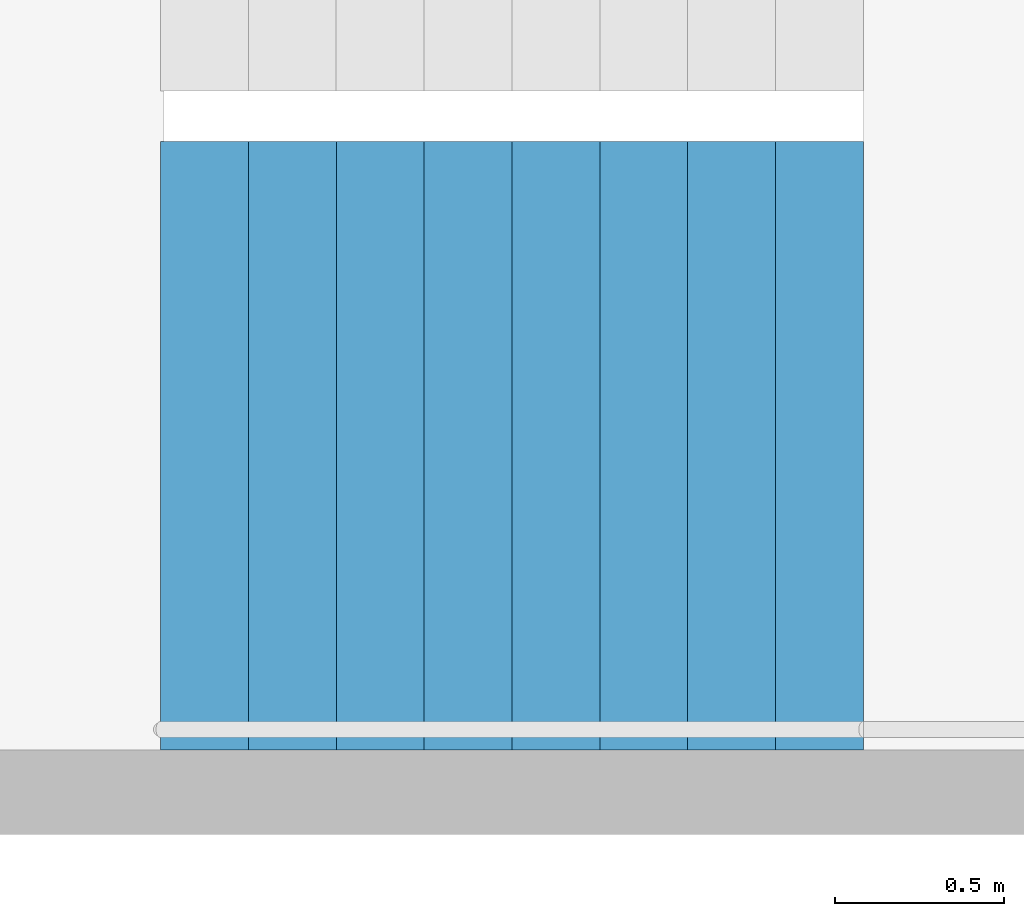
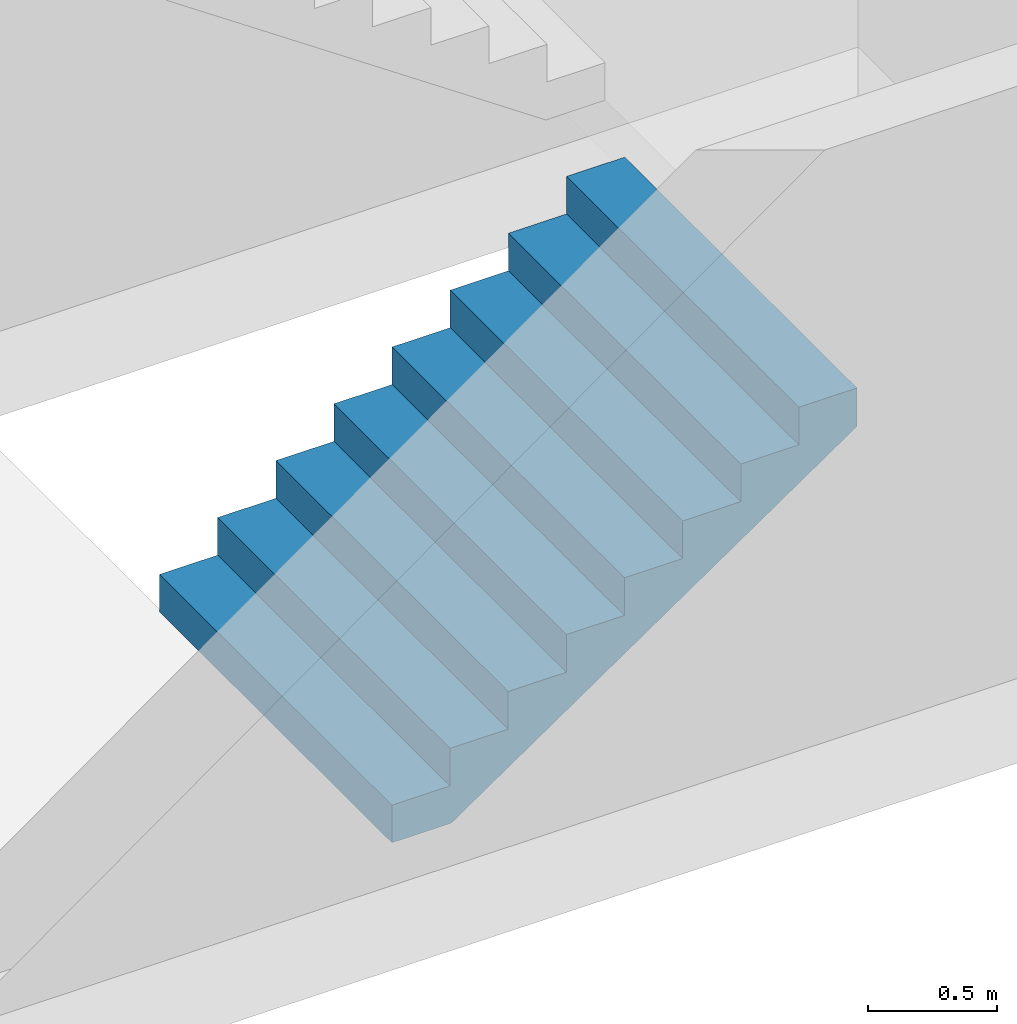
# One storey, part 21 of 33: 1 stair flight, 1 element without a shape of its own.
"""IFC4 building model written with IfcOpenShell, lengths in metres."""

from ifc_helpers import new_model, si_unit, direction, frame, origin, place, context, subcontext, project, spatial, triangles, material, type_object, element, aggregate, save


model = new_model("IFC4")

# Units and contexts
model_context = context("Model", 3, precision=1e-05, world=origin(), true_north=direction((0.0, 1.0)))
body_context = subcontext(model_context, "Body", "Model", "MODEL_VIEW")
ifc_project = project(units=[si_unit("LENGTHUNIT", "METRE"), si_unit("AREAUNIT", "SQUARE_METRE"), si_unit("VOLUMEUNIT", "CUBIC_METRE"), si_unit("PLANEANGLEUNIT", "RADIAN"), si_unit("MASSUNIT", "GRAM", prefix="KILO")], contexts=[model_context])

# Site, building, storey
site_placement = place(None, origin())
site = spatial("IfcSite", under=ifc_project, at=site_placement, CompositionType="ELEMENT")
building_placement = place(site_placement, origin())
building = spatial("IfcBuilding", under=site, at=building_placement, Name="Hakoniwa Tower and Hamabe Station Hall", CompositionType="ELEMENT")
storey_placement = place(building_placement, frame((0.0, 0.0, 81.800048828125)))
storey = spatial("IfcBuildingStorey", under=building, at=storey_placement, Name="L22", CompositionType="ELEMENT", Elevation=81.800048828125)

# Stair, stair flight
ifc_material_1 = material(Name="Concrete C40", Category="concrete")
stair_type = type_object("IfcStairType", Name="ESCAPE STAIR 1800", PredefinedType="HALF_TURN_STAIR", material=ifc_material_1)
stair_placement = place(storey_placement, origin())
stair = element("IfcStair", 1, at=stair_placement, inside=storey, type_object=stair_type, Name="Escape stair ST-1 L22", PredefinedType="HALF_TURN_STAIR")
ifc_material_2 = material(Name="Concrete C40", Category="concrete")
stair_flight_type = type_object("IfcStairFlightType", Name="STAIR FLIGHT 1800", PredefinedType="STRAIGHT", material=ifc_material_2)
stair_flight_placement = place(storey_placement, frame((-24.39990234375, 4.64990234375, 0.0), z_axis=(0.0, 0.0, 1.0), x_axis=(1.0, 0.0, 0.0)))
stair_flight = element("IfcStairFlight", 2, at=stair_flight_placement, type_object=stair_flight_type, Name="ST-1 flight 1", NumberOfRisers=9, NumberOfTreads=8, PredefinedType="STRAIGHT", RiserHeight=0.177777778, TreadLength=0.26, context=body_context, shape_type="Tessellation", body=[
    triangles([(0.0, 0.89990234375, 0.0), (0.260009765625, 0.89990234375, 0.0), (0.265625, 0.89990234375, 0.0), (0.52001953125, 0.89990234375, 0.174072265625), (0.780029296875, 0.89990234375, 0.351806640625), (1.0400390625, 0.89990234375, 0.529541015625), (1.300048828125, 0.89990234375, 0.707275390625), (1.56005859375, 0.89990234375, 0.885009765625), (1.820068359375, 0.89990234375, 1.062744140625), (2.080078125, 0.89990234375, 1.24072265625), (2.080078125, 0.89990234375, 1.422119140625), (1.820068359375, 0.89990234375, 1.422119140625), (1.820068359375, 0.89990234375, 1.244384765625), (1.56005859375, 0.89990234375, 1.244384765625), (1.56005859375, 0.89990234375, 1.066650390625), (1.300048828125, 0.89990234375, 1.066650390625), (1.300048828125, 0.89990234375, 0.888916015625), (1.0400390625, 0.89990234375, 0.888916015625), (1.0400390625, 0.89990234375, 0.711181640625), (0.780029296875, 0.89990234375, 0.711181640625), (0.780029296875, 0.89990234375, 0.533447265625), (0.52001953125, 0.89990234375, 0.533447265625), (0.52001953125, 0.89990234375, 0.35546875), (0.265625, 0.89990234375, 0.35546875), (0.260009765625, 0.89990234375, 0.35546875), (0.260009765625, 0.89990234375, 0.177734375), (0.0, 0.89990234375, 0.177734375), (0.0, 0.06005859375, 0.0), (0.260009765625, 0.06005859375, 0.0), (0.265625, 0.06005859375, 0.0), (0.52001953125, 0.06005859375, 0.174072265625), (0.780029296875, 0.06005859375, 0.351806640625), (1.0400390625, 0.06005859375, 0.529541015625), (1.300048828125, 0.06005859375, 0.707275390625), (1.56005859375, 0.06005859375, 0.885009765625), (1.820068359375, 0.06005859375, 1.062744140625), (2.080078125, 0.06005859375, 1.24072265625), (2.080078125, 0.06005859375, 1.422119140625), (1.820068359375, 0.06005859375, 1.422119140625), (1.820068359375, 0.06005859375, 1.244384765625), (1.56005859375, 0.06005859375, 1.244384765625), (1.56005859375, 0.06005859375, 1.066650390625), (1.300048828125, 0.06005859375, 1.066650390625), (1.300048828125, 0.06005859375, 0.888916015625), (1.0400390625, 0.06005859375, 0.888916015625), (1.0400390625, 0.06005859375, 0.711181640625), (0.780029296875, 0.06005859375, 0.711181640625), (0.780029296875, 0.06005859375, 0.533447265625), (0.52001953125, 0.06005859375, 0.533447265625), (0.52001953125, 0.06005859375, 0.35546875), (0.265625, 0.06005859375, 0.35546875), (0.260009765625, 0.06005859375, 0.35546875), (0.260009765625, 0.06005859375, 0.177734375), (0.0, 0.06005859375, 0.177734375), (0.0, 0.04296875, 0.0), (0.260009765625, 0.04296875, 0.0), (0.265625, 0.04296875, 0.0), (0.52001953125, 0.04296875, 0.174072265625), (0.780029296875, 0.04296875, 0.351806640625), (1.0400390625, 0.04296875, 0.529541015625), (1.300048828125, 0.04296875, 0.707275390625), (1.56005859375, 0.04296875, 0.885009765625), (1.820068359375, 0.04296875, 1.062744140625), (2.080078125, 0.04296875, 1.24072265625), (2.080078125, 0.04296875, 1.422119140625), (1.820068359375, 0.04296875, 1.422119140625), (1.820068359375, 0.04296875, 1.244384765625), (1.56005859375, 0.04296875, 1.244384765625), (1.56005859375, 0.04296875, 1.066650390625), (1.300048828125, 0.04296875, 1.066650390625), (1.300048828125, 0.04296875, 0.888916015625), (1.0400390625, 0.04296875, 0.888916015625), (1.0400390625, 0.04296875, 0.711181640625), (0.780029296875, 0.04296875, 0.711181640625), (0.780029296875, 0.04296875, 0.533447265625), (0.52001953125, 0.04296875, 0.533447265625), (0.52001953125, 0.04296875, 0.35546875), (0.265625, 0.04296875, 0.35546875), (0.260009765625, 0.04296875, 0.35546875), (0.260009765625, 0.04296875, 0.177734375), (0.0, 0.04296875, 0.177734375), (0.0, 0.025634765625, 0.0), (0.260009765625, 0.025634765625, 0.0), (0.265625, 0.025634765625, 0.0), (0.52001953125, 0.025634765625, 0.174072265625), (0.780029296875, 0.025634765625, 0.351806640625), (1.0400390625, 0.025634765625, 0.529541015625), (1.300048828125, 0.025634765625, 0.707275390625), (1.56005859375, 0.025634765625, 0.885009765625), (1.820068359375, 0.025634765625, 1.062744140625), (2.080078125, 0.025634765625, 1.24072265625), (2.080078125, 0.025634765625, 1.422119140625), (1.820068359375, 0.025634765625, 1.422119140625), (1.820068359375, 0.025634765625, 1.244384765625), (1.56005859375, 0.025634765625, 1.244384765625), (1.56005859375, 0.025634765625, 1.066650390625), (1.300048828125, 0.025634765625, 1.066650390625), (1.300048828125, 0.025634765625, 0.888916015625), (1.0400390625, 0.025634765625, 0.888916015625), (1.0400390625, 0.025634765625, 0.711181640625), (0.780029296875, 0.025634765625, 0.711181640625), (0.780029296875, 0.025634765625, 0.533447265625), (0.52001953125, 0.025634765625, 0.533447265625), (0.52001953125, 0.025634765625, 0.35546875), (0.265625, 0.025634765625, 0.35546875), (0.260009765625, 0.025634765625, 0.35546875), (0.260009765625, 0.025634765625, 0.177734375), (0.0, 0.025634765625, 0.177734375), (0.0, 0.008544921875, 0.0), (0.260009765625, 0.008544921875, 0.0), (0.265625, 0.008544921875, 0.0), (0.52001953125, 0.008544921875, 0.174072265625), (0.780029296875, 0.008544921875, 0.351806640625), (1.0400390625, 0.008544921875, 0.529541015625), (1.300048828125, 0.008544921875, 0.707275390625), (1.56005859375, 0.008544921875, 0.885009765625), (1.820068359375, 0.008544921875, 1.062744140625), (2.080078125, 0.008544921875, 1.24072265625), (2.080078125, 0.008544921875, 1.422119140625), (1.820068359375, 0.008544921875, 1.422119140625), (1.820068359375, 0.008544921875, 1.244384765625), (1.56005859375, 0.008544921875, 1.244384765625), (1.56005859375, 0.008544921875, 1.066650390625), (1.300048828125, 0.008544921875, 1.066650390625), (1.300048828125, 0.008544921875, 0.888916015625), (1.0400390625, 0.008544921875, 0.888916015625), (1.0400390625, 0.008544921875, 0.711181640625), (0.780029296875, 0.008544921875, 0.711181640625), (0.780029296875, 0.008544921875, 0.533447265625), (0.52001953125, 0.008544921875, 0.533447265625), (0.52001953125, 0.008544921875, 0.35546875), (0.265625, 0.008544921875, 0.35546875), (0.260009765625, 0.008544921875, 0.35546875), (0.260009765625, 0.008544921875, 0.177734375), (0.0, 0.008544921875, 0.177734375), (0.0, -0.008544921875, 0.0), (0.260009765625, -0.008544921875, 0.0), (0.265625, -0.008544921875, 0.0), (0.52001953125, -0.008544921875, 0.174072265625), (0.780029296875, -0.008544921875, 0.351806640625), (1.0400390625, -0.008544921875, 0.529541015625), (1.300048828125, -0.008544921875, 0.707275390625), (1.56005859375, -0.008544921875, 0.885009765625), (1.820068359375, -0.008544921875, 1.062744140625), (2.080078125, -0.008544921875, 1.24072265625), (2.080078125, -0.008544921875, 1.422119140625), (1.820068359375, -0.008544921875, 1.422119140625), (1.820068359375, -0.008544921875, 1.244384765625), (1.56005859375, -0.008544921875, 1.244384765625), (1.56005859375, -0.008544921875, 1.066650390625), (1.300048828125, -0.008544921875, 1.066650390625), (1.300048828125, -0.008544921875, 0.888916015625), (1.0400390625, -0.008544921875, 0.888916015625), (1.0400390625, -0.008544921875, 0.711181640625), (0.780029296875, -0.008544921875, 0.711181640625), (0.780029296875, -0.008544921875, 0.533447265625), (0.52001953125, -0.008544921875, 0.533447265625), (0.52001953125, -0.008544921875, 0.35546875), (0.265625, -0.008544921875, 0.35546875), (0.260009765625, -0.008544921875, 0.35546875), (0.260009765625, -0.008544921875, 0.177734375), (0.0, -0.008544921875, 0.177734375), (0.0, -0.025634765625, 0.0), (0.260009765625, -0.025634765625, 0.0), (0.265625, -0.025634765625, 0.0), (0.52001953125, -0.025634765625, 0.174072265625), (0.780029296875, -0.025634765625, 0.351806640625), (1.0400390625, -0.025634765625, 0.529541015625), (1.300048828125, -0.025634765625, 0.707275390625), (1.56005859375, -0.025634765625, 0.885009765625), (1.820068359375, -0.025634765625, 1.062744140625), (2.080078125, -0.025634765625, 1.24072265625), (2.080078125, -0.025634765625, 1.422119140625), (1.820068359375, -0.025634765625, 1.422119140625), (1.820068359375, -0.025634765625, 1.244384765625), (1.56005859375, -0.025634765625, 1.244384765625), (1.56005859375, -0.025634765625, 1.066650390625), (1.300048828125, -0.025634765625, 1.066650390625), (1.300048828125, -0.025634765625, 0.888916015625), (1.0400390625, -0.025634765625, 0.888916015625), (1.0400390625, -0.025634765625, 0.711181640625), (0.780029296875, -0.025634765625, 0.711181640625), (0.780029296875, -0.025634765625, 0.533447265625), (0.52001953125, -0.025634765625, 0.533447265625), (0.52001953125, -0.025634765625, 0.35546875), (0.265625, -0.025634765625, 0.35546875), (0.260009765625, -0.025634765625, 0.35546875), (0.260009765625, -0.025634765625, 0.177734375), (0.0, -0.025634765625, 0.177734375), (0.0, -0.04296875, 0.0), (0.260009765625, -0.04296875, 0.0), (0.265625, -0.04296875, 0.0), (0.52001953125, -0.04296875, 0.174072265625), (0.780029296875, -0.04296875, 0.351806640625), (1.0400390625, -0.04296875, 0.529541015625), (1.300048828125, -0.04296875, 0.707275390625), (1.56005859375, -0.04296875, 0.885009765625), (1.820068359375, -0.04296875, 1.062744140625), (2.080078125, -0.04296875, 1.24072265625), (2.080078125, -0.04296875, 1.422119140625), (1.820068359375, -0.04296875, 1.422119140625), (1.820068359375, -0.04296875, 1.244384765625), (1.56005859375, -0.04296875, 1.244384765625), (1.56005859375, -0.04296875, 1.066650390625), (1.300048828125, -0.04296875, 1.066650390625), (1.300048828125, -0.04296875, 0.888916015625), (1.0400390625, -0.04296875, 0.888916015625), (1.0400390625, -0.04296875, 0.711181640625), (0.780029296875, -0.04296875, 0.711181640625), (0.780029296875, -0.04296875, 0.533447265625), (0.52001953125, -0.04296875, 0.533447265625), (0.52001953125, -0.04296875, 0.35546875), (0.265625, -0.04296875, 0.35546875), (0.260009765625, -0.04296875, 0.35546875), (0.260009765625, -0.04296875, 0.177734375), (0.0, -0.04296875, 0.177734375), (0.0, -0.06005859375, 0.0), (0.260009765625, -0.06005859375, 0.0), (0.265625, -0.06005859375, 0.0), (0.52001953125, -0.06005859375, 0.174072265625), (0.780029296875, -0.06005859375, 0.351806640625), (1.0400390625, -0.06005859375, 0.529541015625), (1.300048828125, -0.06005859375, 0.707275390625), (1.56005859375, -0.06005859375, 0.885009765625), (1.820068359375, -0.06005859375, 1.062744140625), (2.080078125, -0.06005859375, 1.24072265625), (2.080078125, -0.06005859375, 1.422119140625), (1.820068359375, -0.06005859375, 1.422119140625), (1.820068359375, -0.06005859375, 1.244384765625), (1.56005859375, -0.06005859375, 1.244384765625), (1.56005859375, -0.06005859375, 1.066650390625), (1.300048828125, -0.06005859375, 1.066650390625), (1.300048828125, -0.06005859375, 0.888916015625), (1.0400390625, -0.06005859375, 0.888916015625), (1.0400390625, -0.06005859375, 0.711181640625), (0.780029296875, -0.06005859375, 0.711181640625), (0.780029296875, -0.06005859375, 0.533447265625), (0.52001953125, -0.06005859375, 0.533447265625), (0.52001953125, -0.06005859375, 0.35546875), (0.265625, -0.06005859375, 0.35546875), (0.260009765625, -0.06005859375, 0.35546875), (0.260009765625, -0.06005859375, 0.177734375), (0.0, -0.06005859375, 0.177734375), (0.0, -0.89990234375, 0.0), (0.260009765625, -0.89990234375, 0.0), (0.265625, -0.89990234375, 0.0), (0.52001953125, -0.89990234375, 0.174072265625), (0.780029296875, -0.89990234375, 0.351806640625), (1.0400390625, -0.89990234375, 0.529541015625), (1.300048828125, -0.89990234375, 0.707275390625), (1.56005859375, -0.89990234375, 0.885009765625), (1.820068359375, -0.89990234375, 1.062744140625), (2.080078125, -0.89990234375, 1.24072265625), (2.080078125, -0.89990234375, 1.422119140625), (1.820068359375, -0.89990234375, 1.422119140625), (1.820068359375, -0.89990234375, 1.244384765625), (1.56005859375, -0.89990234375, 1.244384765625), (1.56005859375, -0.89990234375, 1.066650390625), (1.300048828125, -0.89990234375, 1.066650390625), (1.300048828125, -0.89990234375, 0.888916015625), (1.0400390625, -0.89990234375, 0.888916015625), (1.0400390625, -0.89990234375, 0.711181640625), (0.780029296875, -0.89990234375, 0.711181640625), (0.780029296875, -0.89990234375, 0.533447265625), (0.52001953125, -0.89990234375, 0.533447265625), (0.52001953125, -0.89990234375, 0.35546875), (0.265625, -0.89990234375, 0.35546875), (0.260009765625, -0.89990234375, 0.35546875), (0.260009765625, -0.89990234375, 0.177734375), (0.0, -0.89990234375, 0.177734375)], [[2, 27, 26], [245, 269, 270], [2, 1, 27], [245, 270, 244], [3, 25, 24], [246, 267, 268], [3, 26, 25], [246, 268, 269], [3, 2, 26], [246, 269, 245], [4, 24, 23], [247, 266, 267], [4, 3, 24], [247, 267, 246], [5, 22, 21], [248, 264, 265], [5, 23, 22], [248, 265, 266], [5, 4, 23], [248, 266, 247], [6, 20, 19], [249, 262, 263], [6, 21, 20], [249, 263, 264], [6, 5, 21], [249, 264, 248], [7, 18, 17], [250, 260, 261], [7, 19, 18], [250, 261, 262], [7, 6, 19], [250, 262, 249], [8, 16, 15], [251, 258, 259], [8, 17, 16], [251, 259, 260], [8, 7, 17], [251, 260, 250], [9, 14, 13], [252, 256, 257], [9, 15, 14], [252, 257, 258], [9, 8, 15], [252, 258, 251], [10, 12, 11], [253, 254, 255], [10, 13, 12], [253, 255, 256], [10, 9, 13], [253, 256, 252], [1, 2, 29], [1, 29, 28], [28, 29, 56], [28, 56, 55], [55, 56, 83], [55, 83, 82], [82, 83, 110], [82, 110, 109], [109, 110, 137], [109, 137, 136], [136, 137, 164], [136, 164, 163], [163, 164, 191], [163, 191, 190], [190, 191, 218], [190, 218, 217], [217, 218, 245], [217, 245, 244], [2, 3, 30], [2, 30, 29], [29, 30, 57], [29, 57, 56], [56, 57, 84], [56, 84, 83], [83, 84, 111], [83, 111, 110], [110, 111, 138], [110, 138, 137], [137, 138, 165], [137, 165, 164], [164, 165, 192], [164, 192, 191], [191, 192, 219], [191, 219, 218], [218, 219, 246], [218, 246, 245], [3, 4, 31], [3, 31, 30], [30, 31, 58], [30, 58, 57], [57, 58, 85], [57, 85, 84], [84, 85, 112], [84, 112, 111], [111, 112, 139], [111, 139, 138], [138, 139, 166], [138, 166, 165], [165, 166, 193], [165, 193, 192], [192, 193, 220], [192, 220, 219], [219, 220, 247], [219, 247, 246], [4, 5, 32], [4, 32, 31], [31, 32, 59], [31, 59, 58], [58, 59, 86], [58, 86, 85], [85, 86, 113], [85, 113, 112], [112, 113, 140], [112, 140, 139], [139, 140, 167], [139, 167, 166], [166, 167, 194], [166, 194, 193], [193, 194, 221], [193, 221, 220], [220, 221, 248], [220, 248, 247], [5, 6, 33], [5, 33, 32], [32, 33, 60], [32, 60, 59], [59, 60, 87], [59, 87, 86], [86, 87, 114], [86, 114, 113], [113, 114, 141], [113, 141, 140], [140, 141, 168], [140, 168, 167], [167, 168, 195], [167, 195, 194], [194, 195, 222], [194, 222, 221], [221, 222, 249], [221, 249, 248], [6, 7, 34], [6, 34, 33], [33, 34, 61], [33, 61, 60], [60, 61, 88], [60, 88, 87], [87, 88, 115], [87, 115, 114], [114, 115, 142], [114, 142, 141], [141, 142, 169], [141, 169, 168], [168, 169, 196], [168, 196, 195], [195, 196, 223], [195, 223, 222], [222, 223, 250], [222, 250, 249], [7, 8, 35], [7, 35, 34], [34, 35, 62], [34, 62, 61], [61, 62, 89], [61, 89, 88], [88, 89, 116], [88, 116, 115], [115, 116, 143], [115, 143, 142], [142, 143, 170], [142, 170, 169], [169, 170, 197], [169, 197, 196], [196, 197, 224], [196, 224, 223], [223, 224, 251], [223, 251, 250], [8, 9, 36], [8, 36, 35], [35, 36, 63], [35, 63, 62], [62, 63, 90], [62, 90, 89], [89, 90, 117], [89, 117, 116], [116, 117, 144], [116, 144, 143], [143, 144, 171], [143, 171, 170], [170, 171, 198], [170, 198, 197], [197, 198, 225], [197, 225, 224], [224, 225, 252], [224, 252, 251], [9, 10, 37], [9, 37, 36], [36, 37, 64], [36, 64, 63], [63, 64, 91], [63, 91, 90], [90, 91, 118], [90, 118, 117], [117, 118, 145], [117, 145, 144], [144, 145, 172], [144, 172, 171], [171, 172, 199], [171, 199, 198], [198, 199, 226], [198, 226, 225], [225, 226, 253], [225, 253, 252], [10, 11, 38], [10, 38, 37], [37, 38, 65], [37, 65, 64], [64, 65, 92], [64, 92, 91], [91, 92, 119], [91, 119, 118], [118, 119, 146], [118, 146, 145], [145, 146, 173], [145, 173, 172], [172, 173, 200], [172, 200, 199], [199, 200, 227], [199, 227, 226], [226, 227, 254], [226, 254, 253], [11, 12, 39], [11, 39, 38], [38, 39, 66], [38, 66, 65], [65, 66, 93], [65, 93, 92], [92, 93, 120], [92, 120, 119], [119, 120, 147], [119, 147, 146], [146, 147, 174], [146, 174, 173], [173, 174, 201], [173, 201, 200], [200, 201, 228], [200, 228, 227], [227, 228, 255], [227, 255, 254], [12, 13, 40], [12, 40, 39], [39, 40, 67], [39, 67, 66], [66, 67, 94], [66, 94, 93], [93, 94, 121], [93, 121, 120], [120, 121, 148], [120, 148, 147], [147, 148, 175], [147, 175, 174], [174, 175, 202], [174, 202, 201], [201, 202, 229], [201, 229, 228], [228, 229, 256], [228, 256, 255], [13, 14, 41], [13, 41, 40], [40, 41, 68], [40, 68, 67], [67, 68, 95], [67, 95, 94], [94, 95, 122], [94, 122, 121], [121, 122, 149], [121, 149, 148], [148, 149, 176], [148, 176, 175], [175, 176, 203], [175, 203, 202], [202, 203, 230], [202, 230, 229], [229, 230, 257], [229, 257, 256], [14, 15, 42], [14, 42, 41], [41, 42, 69], [41, 69, 68], [68, 69, 96], [68, 96, 95], [95, 96, 123], [95, 123, 122], [122, 123, 150], [122, 150, 149], [149, 150, 177], [149, 177, 176], [176, 177, 204], [176, 204, 203], [203, 204, 231], [203, 231, 230], [230, 231, 258], [230, 258, 257], [15, 16, 43], [15, 43, 42], [42, 43, 70], [42, 70, 69], [69, 70, 97], [69, 97, 96], [96, 97, 124], [96, 124, 123], [123, 124, 151], [123, 151, 150], [150, 151, 178], [150, 178, 177], [177, 178, 205], [177, 205, 204], [204, 205, 232], [204, 232, 231], [231, 232, 259], [231, 259, 258], [16, 17, 44], [16, 44, 43], [43, 44, 71], [43, 71, 70], [70, 71, 98], [70, 98, 97], [97, 98, 125], [97, 125, 124], [124, 125, 152], [124, 152, 151], [151, 152, 179], [151, 179, 178], [178, 179, 206], [178, 206, 205], [205, 206, 233], [205, 233, 232], [232, 233, 260], [232, 260, 259], [17, 18, 45], [17, 45, 44], [44, 45, 72], [44, 72, 71], [71, 72, 99], [71, 99, 98], [98, 99, 126], [98, 126, 125], [125, 126, 153], [125, 153, 152], [152, 153, 180], [152, 180, 179], [179, 180, 207], [179, 207, 206], [206, 207, 234], [206, 234, 233], [233, 234, 261], [233, 261, 260], [18, 19, 46], [18, 46, 45], [45, 46, 73], [45, 73, 72], [72, 73, 100], [72, 100, 99], [99, 100, 127], [99, 127, 126], [126, 127, 154], [126, 154, 153], [153, 154, 181], [153, 181, 180], [180, 181, 208], [180, 208, 207], [207, 208, 235], [207, 235, 234], [234, 235, 262], [234, 262, 261], [19, 20, 47], [19, 47, 46], [46, 47, 74], [46, 74, 73], [73, 74, 101], [73, 101, 100], [100, 101, 128], [100, 128, 127], [127, 128, 155], [127, 155, 154], [154, 155, 182], [154, 182, 181], [181, 182, 209], [181, 209, 208], [208, 209, 236], [208, 236, 235], [235, 236, 263], [235, 263, 262], [20, 21, 48], [20, 48, 47], [47, 48, 75], [47, 75, 74], [74, 75, 102], [74, 102, 101], [101, 102, 129], [101, 129, 128], [128, 129, 156], [128, 156, 155], [155, 156, 183], [155, 183, 182], [182, 183, 210], [182, 210, 209], [209, 210, 237], [209, 237, 236], [236, 237, 264], [236, 264, 263], [21, 22, 49], [21, 49, 48], [48, 49, 76], [48, 76, 75], [75, 76, 103], [75, 103, 102], [102, 103, 130], [102, 130, 129], [129, 130, 157], [129, 157, 156], [156, 157, 184], [156, 184, 183], [183, 184, 211], [183, 211, 210], [210, 211, 238], [210, 238, 237], [237, 238, 265], [237, 265, 264], [22, 23, 50], [22, 50, 49], [49, 50, 77], [49, 77, 76], [76, 77, 104], [76, 104, 103], [103, 104, 131], [103, 131, 130], [130, 131, 158], [130, 158, 157], [157, 158, 185], [157, 185, 184], [184, 185, 212], [184, 212, 211], [211, 212, 239], [211, 239, 238], [238, 239, 266], [238, 266, 265], [23, 24, 51], [23, 51, 50], [50, 51, 78], [50, 78, 77], [77, 78, 105], [77, 105, 104], [104, 105, 132], [104, 132, 131], [131, 132, 159], [131, 159, 158], [158, 159, 186], [158, 186, 185], [185, 186, 213], [185, 213, 212], [212, 213, 240], [212, 240, 239], [239, 240, 267], [239, 267, 266], [24, 25, 52], [24, 52, 51], [51, 52, 79], [51, 79, 78], [78, 79, 106], [78, 106, 105], [105, 106, 133], [105, 133, 132], [132, 133, 160], [132, 160, 159], [159, 160, 187], [159, 187, 186], [186, 187, 214], [186, 214, 213], [213, 214, 241], [213, 241, 240], [240, 241, 268], [240, 268, 267], [25, 26, 53], [25, 53, 52], [52, 53, 80], [52, 80, 79], [79, 80, 107], [79, 107, 106], [106, 107, 134], [106, 134, 133], [133, 134, 161], [133, 161, 160], [160, 161, 188], [160, 188, 187], [187, 188, 215], [187, 215, 214], [214, 215, 242], [214, 242, 241], [241, 242, 269], [241, 269, 268], [26, 27, 54], [26, 54, 53], [53, 54, 81], [53, 81, 80], [80, 81, 108], [80, 108, 107], [107, 108, 135], [107, 135, 134], [134, 135, 162], [134, 162, 161], [161, 162, 189], [161, 189, 188], [188, 189, 216], [188, 216, 215], [215, 216, 243], [215, 243, 242], [242, 243, 270], [242, 270, 269], [27, 1, 28], [27, 28, 54], [54, 28, 55], [54, 55, 81], [81, 55, 82], [81, 82, 108], [108, 82, 109], [108, 109, 135], [135, 109, 136], [135, 136, 162], [162, 136, 163], [162, 163, 189], [189, 163, 190], [189, 190, 216], [216, 190, 217], [216, 217, 243], [243, 217, 244], [243, 244, 270]], closed=True),
])
aggregate(stair, [stair_flight])

save(model, "model.ifc")
